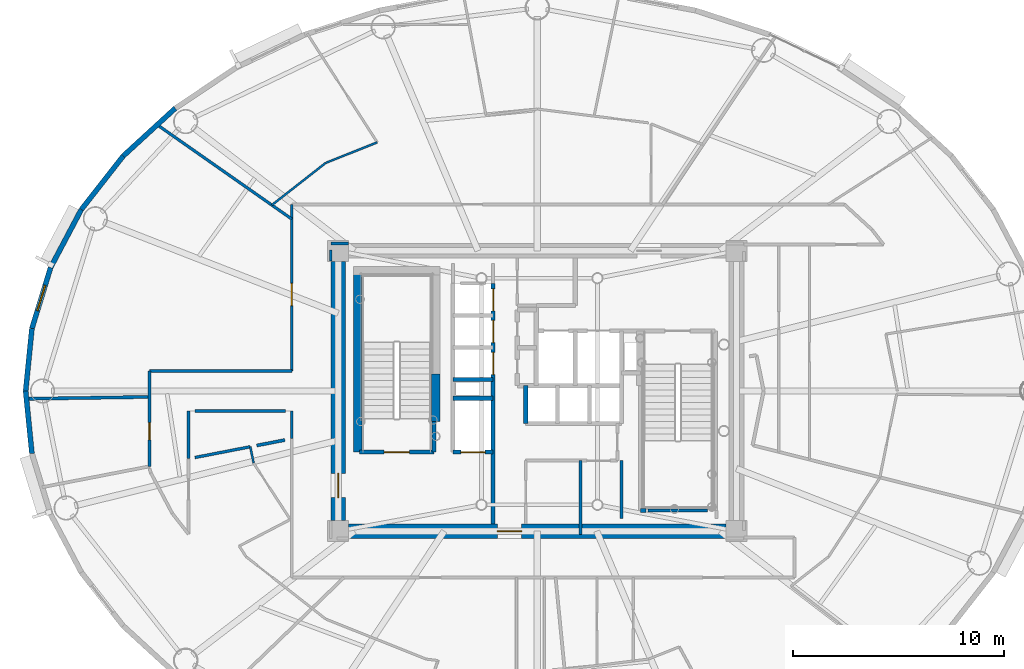
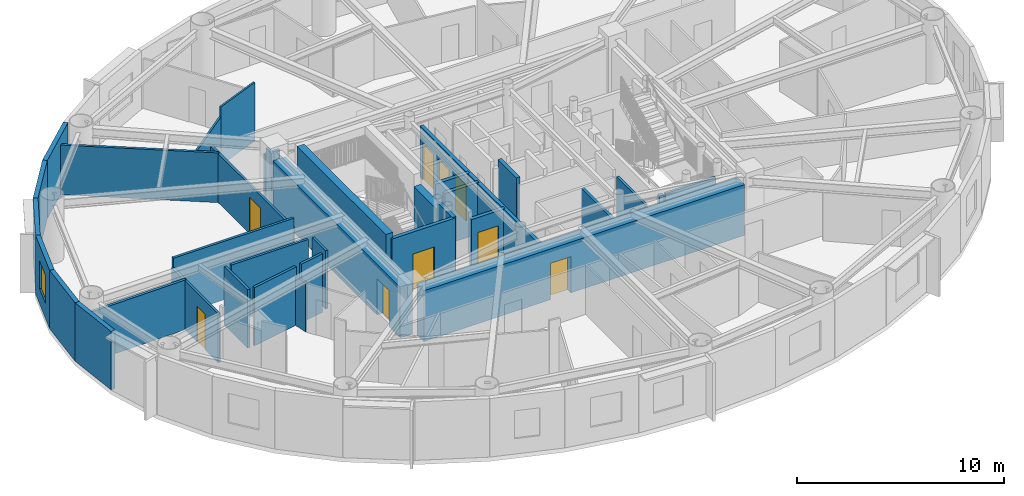
# One storey, part 8 of 18: 36 walls, 9 doors, 1 window, 10 openings.
"""IFC4 building model written with IfcOpenShell, lengths in metres."""

import ifcopenshell
import ifcopenshell.guid

model = None  # the IFC model being written
_history = None  # IfcOwnerHistory: only IFC2X3 demands one
_inside = {}  # id of a spatial element -> (the spatial element, [elements in it])
_under = {}  # id of a project, library or spatial element -> (it, [spatial elements below it])
_declared = {}  # id of a project -> (the project, [libraries it declares])
_typed = {}  # id of a type object -> (the type object, [elements of that type])
_made_of = {}  # id of a material, layer set ... -> (it, [elements and type objects made of it])


def new_model(schema):
    """Start an empty IFC model of exactly this schema.

    Asked for "IFC4X3", IfcOpenShell would pick the latest addendum, in which some entities
    have other attributes; the version numbers below select the first issue.
    IFC2X3 requires an IfcOwnerHistory on every rooted entity: one is made here for all.
    """
    global model, _history
    if schema == "IFC4X3":
        model = ifcopenshell.file(schema_version=(4, 3, 0, 0))
    else:
        model = ifcopenshell.file(schema=schema)
    _inside.clear()
    _under.clear()
    _declared.clear()
    _typed.clear()
    _made_of.clear()
    _history = None
    if model.schema == "IFC2X3":
        org = make("IfcOrganization", Name="unknown")
        user = make(
            "IfcPersonAndOrganization",
            ThePerson=make("IfcPerson", FamilyName="unknown"),
            TheOrganization=org,
        )
        app = make(
            "IfcApplication",
            ApplicationDeveloper=org,
            Version="unknown",
            ApplicationFullName="unknown",
            ApplicationIdentifier="unknown",
        )
        _history = make(
            "IfcOwnerHistory",
            OwningUser=user,
            OwningApplication=app,
            ChangeAction="ADDED",
            CreationDate=0,
        )
    return model


def make(cls, **values):
    """One entity of the class cls with the attributes given. An attribute that is None is left unset."""
    return model.create_entity(
        cls, **{name: value for name, value in values.items() if value is not None}
    )


def rooted(cls, **values):
    """An entity with a GlobalId (a new one), such as an element, a storey or a relation."""
    return make(cls, GlobalId=ifcopenshell.guid.new(), OwnerHistory=_history, **values)


def si_unit(unit_type, name, prefix=None):
    """IfcSIUnit, for example si_unit("LENGTHUNIT", "METRE", prefix="MILLI")."""
    return make("IfcSIUnit", UnitType=unit_type, Prefix=prefix, Name=name)


def assignment(units):
    """IfcUnitAssignment: the units of a project."""
    return None if units is None else make("IfcUnitAssignment", Units=units)


def point(xyz):
    """IfcCartesianPoint."""
    return None if xyz is None else make("IfcCartesianPoint", Coordinates=xyz)


def direction(xyz):
    """IfcDirection."""
    return None if xyz is None else make("IfcDirection", DirectionRatios=xyz)


def frame(location, z_axis=None, x_axis=None):
    """IfcAxis2Placement3D, a coordinate frame: its origin and axes. An axis left out is left unset."""
    return make(
        "IfcAxis2Placement3D",
        Location=point(location),
        Axis=direction(z_axis),
        RefDirection=direction(x_axis),
    )


def frame_2d(location, x_axis=None):
    """IfcAxis2Placement2D, a coordinate frame in the plane: its origin and x axis."""
    return make(
        "IfcAxis2Placement2D", Location=point(location), RefDirection=direction(x_axis)
    )


def origin():
    """The frame at (0, 0, 0) with its axes left unset."""
    return frame((0.0, 0.0, 0.0))


def origin_2d():
    """The frame at (0, 0) in the plane with its x axis left unset."""
    return frame_2d((0.0, 0.0))


def place(relative_to, where):
    """IfcLocalPlacement: puts the frame where relative to a parent placement (None: the world)."""
    return make(
        "IfcLocalPlacement", PlacementRelTo=relative_to, RelativePlacement=where
    )


def context(
    kind, dimensions, precision=None, world=None, true_north=None, identifier=None
):
    """IfcGeometricRepresentationContext, for example the 3D "Model" context."""
    return make(
        "IfcGeometricRepresentationContext",
        ContextIdentifier=identifier,
        ContextType=kind,
        CoordinateSpaceDimension=dimensions,
        Precision=precision,
        WorldCoordinateSystem=world,
        TrueNorth=true_north,
    )


def subcontext(parent, identifier, kind, view, scale=None):
    """IfcGeometricRepresentationSubContext, for example "Body" below "Model"."""
    return make(
        "IfcGeometricRepresentationSubContext",
        ContextIdentifier=identifier,
        ContextType=kind,
        ParentContext=parent,
        TargetScale=scale,
        TargetView=view,
    )


def project(units=None, contexts=None):
    """IfcProject with its units and contexts."""
    return rooted(
        "IfcProject",
        Name="project",
        RepresentationContexts=contexts,
        UnitsInContext=assignment(units),
    )


def spatial(cls, under=None, at=None, **own):
    """A site, building, storey or space (cls), placed at a placement, below another one or the project."""
    s = rooted(cls, ObjectPlacement=at, **own)
    if under is not None:
        _under.setdefault(under.id(), (under, []))[1].append(s)
    return s


def profile(cls, at=None, kind="AREA", **sizes):
    """A parametric profile (cls). Its sizes go by their IFC names, for example OverallWidth=200.0."""
    return make(cls, ProfileType=kind, Position=at, **sizes)


def rectangle(**sizes):
    """IfcRectangleProfileDef."""
    return profile("IfcRectangleProfileDef", **sizes)


def extrude(swept, where, along, depth):
    """IfcExtrudedAreaSolid: the profile swept, set in the frame where, extruded along a direction by depth."""
    return make(
        "IfcExtrudedAreaSolid",
        SweptArea=swept,
        Position=where,
        ExtrudedDirection=direction(along),
        Depth=depth,
    )


def shape(context_of_items, identifier, shape_type, items):
    """IfcShapeRepresentation: the items that make up one representation, for example the "Body"."""
    return make(
        "IfcShapeRepresentation",
        ContextOfItems=context_of_items,
        RepresentationIdentifier=identifier,
        RepresentationType=shape_type,
        Items=items,
    )


def source(mapping_origin, context_of_items, identifier, shape_type, items):
    """IfcRepresentationMap: a shape defined once, which mapped items show again and again."""
    return make(
        "IfcRepresentationMap",
        MappingOrigin=mapping_origin,
        MappedRepresentation=shape(context_of_items, identifier, shape_type, items),
    )


def transform(
    local_origin,
    x_axis=None,
    y_axis=None,
    z_axis=None,
    scale=None,
    scale2=None,
    scale3=None,
    uniform=True,
):
    """IfcCartesianTransformationOperator3D, or its non-uniform kind. x_axis, y_axis, z_axis: its Axis1, 2, 3."""
    if uniform:
        return make(
            "IfcCartesianTransformationOperator3D",
            Axis1=direction(x_axis),
            Axis2=direction(y_axis),
            LocalOrigin=point(local_origin),
            Scale=scale,
            Axis3=direction(z_axis),
        )
    return make(
        "IfcCartesianTransformationOperator3DnonUniform",
        Axis1=direction(x_axis),
        Axis2=direction(y_axis),
        LocalOrigin=point(local_origin),
        Scale=scale,
        Axis3=direction(z_axis),
        Scale2=scale2,
        Scale3=scale3,
    )


def mapped(mapping_source, mapping_target):
    """IfcMappedItem: shows the shape of a source again, moved by a transform."""
    return make(
        "IfcMappedItem", MappingSource=mapping_source, MappingTarget=mapping_target
    )


def material(Name=None, Category=None):
    """IfcMaterial."""
    return make("IfcMaterial", Name=Name, Category=Category)


def layer(
    of_material, thickness, ventilated=None, Name=None, Category=None, Priority=None
):
    """IfcMaterialLayer: one layer of a wall or slab, of a material (None: an air gap)."""
    return make(
        "IfcMaterialLayer",
        Material=of_material,
        LayerThickness=thickness,
        IsVentilated=ventilated,
        Name=Name,
        Category=Category,
        Priority=Priority,
    )


def layer_set(layers, Name=None):
    """IfcMaterialLayerSet."""
    return make("IfcMaterialLayerSet", MaterialLayers=layers, LayerSetName=Name)


def made_of(thing, what):
    """Note that an element or type object is made of a material, layer set ...; save() writes the relation."""
    if what is not None:
        _made_of.setdefault(what.id(), (what, []))[1].append(thing)
    return thing


def type_object(cls, material=None, **own):
    """A type object (cls), such as IfcWallType, which elements share."""
    return made_of(rooted(cls, **own), material)


def element(
    cls,
    number,
    at=None,
    inside=None,
    cuts=None,
    type_object=None,
    material=None,
    context=None,
    identifier="Body",
    shape_type=None,
    held_by="IfcProductDefinitionShape",
    body=None,
    shapes=None,
    **own,
):
    """One element of the class cls, such as IfcWall. Its Tag is "e" and its number.

    at: its placement. inside: the storey or other place that contains it. cuts: it is an
    opening in that element (IfcRelVoidsElement). A single representation is given by context,
    identifier, shape_type and body (its items); several are given by shapes. held_by: the class
    of the entity that holds the representations. save() writes the other relations.
    """
    e = rooted(cls, Tag="e%d" % number, ObjectPlacement=at, **own)
    if body is not None:
        shapes = [shape(context, identifier, shape_type, body)]
    if shapes is not None:
        e.Representation = make(held_by, Representations=shapes)
    if inside is not None:
        _inside.setdefault(inside.id(), (inside, []))[1].append(e)
    if cuts is not None:
        rooted(
            "IfcRelVoidsElement", RelatingBuildingElement=cuts, RelatedOpeningElement=e
        )
    if type_object is not None:
        _typed.setdefault(type_object.id(), (type_object, []))[1].append(e)
    return made_of(e, material)


def fill(opening, filler):
    """IfcRelFillsElement: the door or window that sits in an opening."""
    return rooted(
        "IfcRelFillsElement",
        RelatingOpeningElement=opening,
        RelatedBuildingElement=filler,
    )


def aggregate(whole, parts):
    """IfcRelAggregates: a whole, such as a stair, and the parts it consists of."""
    return rooted("IfcRelAggregates", RelatingObject=whole, RelatedObjects=parts)


def save(model, path):
    """Write the relations noted so far, then the file.

    IfcRelAggregates (storeys below a building ...), IfcRelContainedInSpatialStructure (elements
    in a storey), IfcRelDefinesByType, IfcRelAssociatesMaterial and IfcRelDeclares: one each for
    every whole, place, type object, material and project.
    """
    for whole, parts in _under.values():
        aggregate(whole, parts)
    for where, things in _inside.values():
        rooted(
            "IfcRelContainedInSpatialStructure",
            RelatedElements=things,
            RelatingStructure=where,
        )
    for kind, things in _typed.values():
        rooted("IfcRelDefinesByType", RelatedObjects=things, RelatingType=kind)
    for what, things in _made_of.values():
        rooted("IfcRelAssociatesMaterial", RelatedObjects=things, RelatingMaterial=what)
    for by, libraries in _declared.values():
        rooted("IfcRelDeclares", RelatingContext=by, RelatedDefinitions=libraries)
    model.write(path)


model = new_model("IFC4")

# Units and contexts
model_context = context("Model", 3, precision=1e-05, world=origin(), true_north=direction((0.0, 1.0)))
body_context = subcontext(model_context, "Body", "Model", "MODEL_VIEW")
ifc_project = project(units=[si_unit("LENGTHUNIT", "METRE"), si_unit("AREAUNIT", "SQUARE_METRE"), si_unit("VOLUMEUNIT", "CUBIC_METRE"), si_unit("PLANEANGLEUNIT", "RADIAN"), si_unit("MASSUNIT", "GRAM", prefix="KILO")], contexts=[model_context])

# Site, building, storey
site_placement = place(None, origin())
site = spatial("IfcSite", under=ifc_project, at=site_placement, CompositionType="ELEMENT")
building_placement = place(site_placement, origin())
building = spatial("IfcBuilding", under=site, at=building_placement, Name="Linh Dai School and Residence Tower", CompositionType="ELEMENT")
storey_placement = place(building_placement, frame((0.0, 0.0, 259.050048828125)))
storey = spatial("IfcBuildingStorey", under=building, at=storey_placement, Name="L64", CompositionType="ELEMENT", Elevation=259.050048828125)

# Walls
ifc_material_1 = material(Name="Precast Concrete B45 (C35/45)", Category="concrete")
ifc_layer_1 = layer(ifc_material_1, 0.239990234375)
ifc_layer_set_1 = layer_set([ifc_layer_1], Name="Precast Concrete B45 (C35/45)")
wall_type_1 = type_object("IfcWallType", Name="EW-TC-240", PredefinedType="SOLIDWALL", material=ifc_layer_set_1)
wall_1_placement = place(storey_placement, frame((16.3515625, 38.14453125, 0.0), z_axis=(0.0, 0.0, 1.0), x_axis=(0.737123922599, 0.675757591694, 0.0)))
element("IfcWall", 1, at=wall_1_placement, inside=storey, type_object=wall_type_1, Name="L64 Terracotta Exterior Wall 16", PredefinedType="SOLIDWALL", context=body_context, shape_type="SweptSolid", body=[
    extrude(rectangle(XDim=3.353759765625, YDim=0.239990234375, at=frame_2d((1.6767578125, 0.0))), origin(), (0.0, 0.0, 1.0), 3.449951171875),
])
wall_2_placement = place(storey_placement, frame((14.3642578125, 35.605224609375, 0.0), z_axis=(0.0, 0.0, 1.0), x_axis=(0.616312344705, 0.787501805562, 0.0)))
element("IfcWall", 2, at=wall_2_placement, inside=storey, type_object=wall_type_1, Name="L64 Terracotta Exterior Wall 17", PredefinedType="SOLIDWALL", context=body_context, shape_type="SweptSolid", body=[
    extrude(rectangle(XDim=3.224609375, YDim=0.239990234375, at=frame_2d((1.6123046875, 0.0))), origin(), (0.0, 0.0, 1.0), 3.449951171875),
])
wall_3_placement = place(storey_placement, frame((12.90966796875, 32.85595703125, 0.0), z_axis=(0.0, 0.0, 1.0), x_axis=(0.46766049993, 0.883908172157, 0.0)))
element("IfcWall", 3, at=wall_3_placement, inside=storey, type_object=wall_type_1, Name="L64 Terracotta Exterior Wall 18", PredefinedType="SOLIDWALL", context=body_context, shape_type="SweptSolid", body=[
    extrude(rectangle(XDim=3.1103515625, YDim=0.239990234375, at=frame_2d((1.55517578125, 0.0))), origin(), (0.0, 0.0, 1.0), 3.449951171875),
])

# Wall, opening, window
wall_4_placement = place(storey_placement, frame((12.02294921875, 29.9638671875, 0.0), z_axis=(0.0, 0.0, 1.0), x_axis=(0.293132907334, 0.95607170162, 0.0)))
wall_4 = element("IfcWall", 4, at=wall_4_placement, inside=storey, type_object=wall_type_1, Name="L64 Terracotta Exterior Wall 19", PredefinedType="SOLIDWALL", context=body_context, shape_type="SweptSolid", body=[
    extrude(rectangle(XDim=3.02490234375, YDim=0.239990234375, at=frame_2d((1.512451171875, 0.0))), origin(), (0.0, 0.0, 1.0), 3.449951171875),
])
opening_1_placement = place(wall_4_placement, frame((0.887451171875, 0.0, 0.89990234375)))
opening_1 = element("IfcOpeningElement", 5, at=opening_1_placement, cuts=wall_4, Name="Opening W3", PredefinedType="OPENING", context=body_context, shape_type="SweptSolid", body=[
    extrude(rectangle(XDim=1.25, YDim=1.64990234375, at=origin_2d()), frame((0.625, 0.1298828125, 0.824951171875), z_axis=(0.0, -1.0, 0.0), x_axis=(1.0, 0.0, 0.0)), (0.0, 0.0, 1.0), 0.260009765625),
])
ifc_material_2 = material(Name="Double Low-E Insulated Glazing", Category="glass")
window_type = type_object("IfcWindowType", Name="WN-RES-1250x1650", PartitioningType="SINGLE_PANEL", PredefinedType="WINDOW", material=ifc_material_2)
shared_shape_1 = source(origin(), body_context, "Body", "SweptSolid", [
    extrude(rectangle(XDim=1.25, YDim=1.64990234375, at=origin_2d()), frame((0.625, 0.030029296875, 0.824951171875), z_axis=(0.0, -1.0, 0.0), x_axis=(1.0, 0.0, 0.0)), (0.0, 0.0, 1.0), 0.06005859375),
])
window_placement = place(opening_1_placement, origin())
window = element("IfcWindow", 6, at=window_placement, inside=storey, type_object=window_type, Name="L64 Exterior Window 19.1", OverallHeight=1.64990234375, OverallWidth=1.25, PartitioningType="SINGLE_PANEL", PredefinedType="WINDOW", context=body_context, shape_type="MappedRepresentation", body=[
    mapped(shared_shape_1, transform((0.0, 0.0, 0.0), x_axis=(1.0, 0.0, 0.0), y_axis=(0.0, 1.0, 0.0), z_axis=(0.0, 0.0, 1.0), scale=1.0)),
])
fill(opening_1, window)

# Walls
for number, where, z_axis, x_axis, name in (
    (7, (11.72509765625, 27.0, 0.0), (0.0, 0.0, 1.0), (0.099990595253, 0.994988382274, 0.0), "L64 Terracotta Exterior Wall 20"),
    (8, (12.02294921875, 24.0361328125, 0.0), (0.0, 0.0, 1.0), (-0.099990595253, 0.994988382274, 0.0), "L64 Terracotta Exterior Wall 21"),
):
    element("IfcWall", number, at=place(storey_placement, frame(where, z_axis=z_axis, x_axis=x_axis)), inside=storey, type_object=wall_type_1, Name=name, PredefinedType="SOLIDWALL", context=body_context, shape_type="SweptSolid", body=[
        extrude(rectangle(XDim=2.978759765625, YDim=0.239990234375, at=frame_2d((1.4892578125, 0.0))), origin(), (0.0, 0.0, 1.0), 3.449951171875),
    ])

# Wall, opening, door
ifc_material_3 = material(Name="Autoclaved Aerated Concrete Blockwork", Category="masonry")
ifc_layer_2 = layer(ifc_material_3, 0.135009765625)
ifc_layer_set_2 = layer_set([ifc_layer_2], Name="Autoclaved Aerated Concrete Blockwork")
wall_type_2 = type_object("IfcWallType", Name="IW-CORR-135-EI90", PredefinedType="PARTITIONING", material=ifc_layer_set_2)
wall_5_placement = place(storey_placement, frame((17.60009765625, 23.42333984375, 0.0), z_axis=(0.0, 0.0, 1.0), x_axis=(0.0, 1.0, 0.0)))
wall_5 = element("IfcWall", 9, at=wall_5_placement, inside=storey, type_object=wall_type_2, Name="L64 Interior Partition Wall 004", PredefinedType="PARTITIONING", context=body_context, shape_type="SweptSolid", body=[
    extrude(rectangle(XDim=4.526611328125, YDim=0.135009765625, at=frame_2d((2.26318359375, 0.0))), origin(), (0.0, 0.0, 1.0), 2.885009765625),
])
opening_2_placement = place(wall_5_placement, frame((1.257080078125, 0.0, 0.0)))
opening_2 = element("IfcOpeningElement", 10, at=opening_2_placement, cuts=wall_5, Name="Opening D06", PredefinedType="OPENING", context=body_context, shape_type="SweptSolid", body=[
    extrude(rectangle(XDim=0.820068359375, YDim=2.10009765625, at=origin_2d()), frame((0.41015625, 0.07763671875, 1.050048828125), z_axis=(0.0, -1.0, 0.0), x_axis=(1.0, 0.0, 0.0)), (0.0, 0.0, 1.0), 0.155029296875),
])
ifc_material_4 = material(Name="Moisture-Resistant Timber Bathroom Door", Category="wood")
door_type_1 = type_object("IfcDoorType", Name="DR-WET-820x2100", OperationType="NOTDEFINED", PredefinedType="DOOR", material=ifc_material_4)
shared_shape_2 = source(origin(), body_context, "Body", "SweptSolid", [
    extrude(rectangle(XDim=0.820068359375, YDim=2.10009765625, at=origin_2d()), frame((0.41015625, 0.02490234375, 1.050048828125), z_axis=(0.0, -1.0, 0.0), x_axis=(1.0, 0.0, 0.0)), (0.0, 0.0, 1.0), 0.050048828125),
])
door_1_placement = place(opening_2_placement, origin())
door_1 = element("IfcDoor", 11, at=door_1_placement, inside=storey, type_object=door_type_1, Name="L64 Amenity Accessible WC Door", OperationType="SINGLE_SWING_RIGHT", OverallHeight=2.10009765625, OverallWidth=0.820068359375, PredefinedType="DOOR", context=body_context, shape_type="MappedRepresentation", body=[
    mapped(shared_shape_2, transform((0.0, 0.0, 0.0), x_axis=(1.0, 0.0, 0.0), y_axis=(0.0, 1.0, 0.0), z_axis=(0.0, 0.0, 1.0), scale=1.0)),
])
fill(opening_2, door_1)

# Walls
wall_6_placement = place(storey_placement, frame((17.60009765625, 27.949951171875, 0.0), z_axis=(0.0, 0.0, 1.0), x_axis=(1.0, 0.0, 0.0)))
element("IfcWall", 12, at=wall_6_placement, inside=storey, type_object=wall_type_2, Name="L64 Interior Partition Wall 005", PredefinedType="PARTITIONING", context=body_context, shape_type="SweptSolid", body=[
    extrude(rectangle(XDim=6.75, YDim=0.135009765625, at=frame_2d((3.375, 0.0))), origin(), (0.0, 0.0, 1.0), 3.449951171875),
])
wall_7_placement = place(storey_placement, frame((17.963623046875, 39.629150390625, 0.0), z_axis=(0.0, 0.0, 1.0), x_axis=(0.819162769896, -0.573561118292, 0.0)))
element("IfcWall", 13, at=wall_7_placement, inside=storey, type_object=wall_type_2, Name="L64 Interior Partition Wall 007", PredefinedType="PARTITIONING", context=body_context, shape_type="SweptSolid", body=[
    extrude(rectangle(XDim=7.79638671875, YDim=0.135009765625, at=frame_2d((3.898193359375, 0.0))), origin(), (0.0, 0.0, 1.0), 2.93505859375),
])

# Wall, opening, door
wall_8_placement = place(storey_placement, frame((24.35009765625, 27.949951171875, 0.0), z_axis=(0.0, 0.0, 1.0), x_axis=(0.0, 1.0, 0.0)))
wall_8 = element("IfcWall", 14, at=wall_8_placement, inside=storey, type_object=wall_type_2, Name="L64 Interior Partition Wall 019", PredefinedType="PARTITIONING", context=body_context, shape_type="SweptSolid", body=[
    extrude(rectangle(XDim=7.900146484375, YDim=0.135009765625, at=frame_2d((3.9501953125, 0.0))), origin(), (0.0, 0.0, 1.0), 2.885009765625),
])
opening_3_placement = place(wall_8_placement, frame((3.0986328125, 0.0, 0.0)))
opening_3 = element("IfcOpeningElement", 15, at=opening_3_placement, cuts=wall_8, Name="Opening D04", PredefinedType="OPENING", context=body_context, shape_type="SweptSolid", body=[
    extrude(rectangle(XDim=1.050048828125, YDim=2.14990234375, at=origin_2d()), frame((0.52490234375, 0.07763671875, 1.074951171875), z_axis=(0.0, -1.0, 0.0), x_axis=(1.0, 0.0, 0.0)), (0.0, 0.0, 1.0), 0.155029296875),
])
ifc_material_5 = material(Name="Acoustic Vision-Panel Timber Classroom Door", Category="wood")
door_type_2 = type_object("IfcDoorType", Name="DR-SCH-1050x2150-FD60S", OperationType="NOTDEFINED", PredefinedType="DOOR", material=ifc_material_5)
shared_shape_3 = source(origin(), body_context, "Body", "SweptSolid", [
    extrude(rectangle(XDim=1.050048828125, YDim=2.14990234375, at=origin_2d()), frame((0.52490234375, 0.02490234375, 1.074951171875), z_axis=(0.0, -1.0, 0.0), x_axis=(1.0, 0.0, 0.0)), (0.0, 0.0, 1.0), 0.050048828125),
])
door_2_placement = place(opening_3_placement, origin())
door_2 = element("IfcDoor", 16, at=door_2_placement, inside=storey, type_object=door_type_2, Name="L64 Quiet Study Library Door", OperationType="SINGLE_SWING_LEFT", OverallHeight=2.14990234375, OverallWidth=1.050048828125, PredefinedType="DOOR", context=body_context, shape_type="MappedRepresentation", body=[
    mapped(shared_shape_3, transform((0.0, 0.0, 0.0), x_axis=(1.0, 0.0, 0.0), y_axis=(0.0, 1.0, 0.0), z_axis=(0.0, 0.0, 1.0), scale=1.0)),
])
fill(opening_3, door_2)

# Walls
wall_9_placement = place(storey_placement, frame((44.080078125, 21.330078125, 0.0), z_axis=(0.0, 0.0, 1.0), x_axis=(-1.0, 0.0, 0.0)))
element("IfcWall", 17, at=wall_9_placement, inside=storey, type_object=wall_type_2, Name="L64 Interior Partition Wall 091", PredefinedType="PARTITIONING", context=body_context, shape_type="SweptSolid", body=[
    extrude(rectangle(XDim=2.820068359375, YDim=0.135009765625, at=frame_2d((1.41015625, 0.0))), origin(), (0.0, 0.0, 1.0), 2.98486328125),
])
wall_10_placement = place(storey_placement, frame((40.0, 23.699951171875, 0.0), z_axis=(0.0, 0.0, 1.0), x_axis=(0.0, -1.0, 0.0)))
element("IfcWall", 18, at=wall_10_placement, inside=storey, type_object=wall_type_2, Name="L64 Interior Partition Wall 093", PredefinedType="PARTITIONING", context=body_context, shape_type="SweptSolid", body=[
    extrude(rectangle(XDim=2.739990234375, YDim=0.135009765625, at=frame_2d((1.3701171875, 0.0))), origin(), (0.0, 0.0, 1.0), 2.98486328125),
])
wall_11_placement = place(storey_placement, frame((19.449951171875, 26.050048828125, 0.0), z_axis=(0.0, 0.0, 1.0), x_axis=(0.0, -1.0, 0.0)))
element("IfcWall", 19, at=wall_11_placement, inside=storey, type_object=wall_type_2, Name="L64 Interior Partition Wall 097", PredefinedType="PARTITIONING", context=body_context, shape_type="SweptSolid", body=[
    extrude(rectangle(XDim=2.257080078125, YDim=0.135009765625, at=frame_2d((1.12841796875, 0.0))), origin(), (0.0, 0.0, 1.0), 3.449951171875),
])
wall_12_placement = place(storey_placement, frame((27.0400390625, 34.0, 0.0), z_axis=(0.0, 0.0, 1.0), x_axis=(-1.0, 0.0, 0.0)))
element("IfcWall", 20, at=wall_12_placement, inside=storey, type_object=wall_type_2, Name="L64 Interior Partition Wall 099", PredefinedType="PARTITIONING", context=body_context, shape_type="SweptSolid", body=[
    extrude(rectangle(XDim=0.840087890625, YDim=0.135009765625, at=frame_2d((0.419921875, 0.0))), origin(), (0.0, 0.0, 1.0), 2.885009765625),
])
wall_13_placement = place(storey_placement, frame((26.199951171875, 33.6923828125, 0.0), z_axis=(0.0, 0.0, 1.0), x_axis=(0.0, -1.0, 0.0)))
element("IfcWall", 21, at=wall_13_placement, inside=storey, type_object=wall_type_2, Name="L64 Interior Partition Wall 100", PredefinedType="PARTITIONING", context=body_context, shape_type="SweptSolid", body=[
    extrude(rectangle(XDim=0.532470703125, YDim=0.135009765625, at=frame_2d((0.26611328125, 0.0))), origin(), (0.0, 0.0, 1.0), 3.449951171875),
])
wall_14_placement = place(storey_placement, frame((24.35009765625, 24.745361328125, 0.0), z_axis=(0.0, 0.0, 1.0), x_axis=(0.0, 1.0, 0.0)))
element("IfcWall", 22, at=wall_14_placement, inside=storey, type_object=wall_type_2, Name="L64 Interior Partition Wall 104", PredefinedType="PARTITIONING", context=body_context, shape_type="SweptSolid", body=[
    extrude(rectangle(XDim=1.3046875, YDim=0.135009765625, at=frame_2d((0.65234375, 0.0))), origin(), (0.0, 0.0, 1.0), 3.449951171875),
])
wall_15_placement = place(storey_placement, frame((24.04248046875, 26.050048828125, 0.0), z_axis=(0.0, 0.0, 1.0), x_axis=(-1.0, 0.0, 0.0)))
element("IfcWall", 23, at=wall_15_placement, inside=storey, type_object=wall_type_2, Name="L64 Interior Partition Wall 105", PredefinedType="PARTITIONING", context=body_context, shape_type="SweptSolid", body=[
    extrude(rectangle(XDim=4.284912109375, YDim=0.135009765625, at=frame_2d((2.142578125, 0.0))), origin(), (0.0, 0.0, 1.0), 3.449951171875),
])
wall_16_placement = place(storey_placement, frame((19.757568359375, 23.8427734375, 0.0), z_axis=(0.0, 0.0, 1.0), x_axis=(0.98161966457, 0.190847672582, 0.0)))
element("IfcWall", 24, at=wall_16_placement, inside=storey, type_object=wall_type_2, Name="L64 Interior Partition Wall 107", PredefinedType="PARTITIONING", context=body_context, shape_type="SweptSolid", body=[
    extrude(rectangle(XDim=2.6748046875, YDim=0.135009765625, at=frame_2d((1.33740234375, 0.0))), origin(), (0.0, 0.0, 1.0), 3.449951171875),
])
ifc_layer_3 = layer(ifc_material_3, 0.14990234375)
ifc_layer_set_3 = layer_set([ifc_layer_3], Name="Autoclaved Aerated Concrete Blockwork")
wall_type_3 = type_object("IfcWallType", Name="IW-SCH-150-EI60", PredefinedType="PARTITIONING", material=ifc_layer_set_3)
wall_17_placement = place(storey_placement, frame((11.75732421875, 26.627685546875, 0.0), z_axis=(0.0, 0.0, 1.0), x_axis=(0.999882437841, 0.015333313333, 0.0)))
element("IfcWall", 25, at=wall_17_placement, inside=storey, type_object=wall_type_3, Name="L64 Interior Partition Wall 001", PredefinedType="PARTITIONING", context=body_context, shape_type="SweptSolid", body=[
    extrude(rectangle(XDim=5.843505859375, YDim=0.14990234375, at=frame_2d((2.921875, 0.0))), origin(), (0.0, 0.0, 1.0), 2.93505859375),
])
wall_18_placement = place(storey_placement, frame((38.050048828125, 20.179931640625, 0.0), z_axis=(0.0, 0.0, 1.0), x_axis=(0.0, 1.0, 0.0)))
element("IfcWall", 26, at=wall_18_placement, inside=storey, type_object=wall_type_3, Name="L64 Interior Partition Wall 059", PredefinedType="PARTITIONING", context=body_context, shape_type="SweptSolid", body=[
    extrude(rectangle(XDim=3.52001953125, YDim=0.14990234375, at=frame_2d((1.760009765625, 0.0))), origin(), (0.0, 0.0, 1.0), 2.98486328125),
])
wall_19_placement = place(storey_placement, frame((22.687744140625, 24.412353515625, 0.0), z_axis=(0.0, 0.0, 1.0), x_axis=(0.981616324133, 0.19086485322, 0.0)))
element("IfcWall", 27, at=wall_19_placement, inside=storey, type_object=wall_type_3, Name="L64 Interior Partition Wall 106", PredefinedType="PARTITIONING", context=body_context, shape_type="SweptSolid", body=[
    extrude(rectangle(XDim=1.359619140625, YDim=0.14990234375, at=frame_2d((0.6796875, 0.0))), origin(), (0.0, 0.0, 1.0), 3.449951171875),
])

# Wall, opening, door
ifc_material_6 = material(Name="Concrete B45 (C35/45)", Category="concrete")
ifc_layer_4 = layer(ifc_material_6, 0.199951171875)
ifc_layer_set_4 = layer_set([ifc_layer_4], Name="Concrete B45 (C35/45)")
wall_type_4 = type_object("IfcWallType", Name="IW-SHAFT-200-EI120", PredefinedType="PARTITIONING", material=ifc_layer_set_4)
wall_20_placement = place(storey_placement, frame((27.56005859375, 24.10009765625, 0.0), z_axis=(0.0, 0.0, 1.0), x_axis=(1.0, 0.0, 0.0)))
wall_20 = element("IfcWall", 28, at=wall_20_placement, inside=storey, type_object=wall_type_4, Name="L64 Interior Partition Wall 025", PredefinedType="PARTITIONING", context=body_context, shape_type="SweptSolid", body=[
    extrude(rectangle(XDim=3.5400390625, YDim=0.199951171875, at=frame_2d((1.77001953125, 0.0))), origin(), (0.0, 0.0, 1.0), 3.449951171875),
])
opening_4_placement = place(wall_20_placement, frame((1.169921875, 0.0, 0.0)))
opening_4 = element("IfcOpeningElement", 29, at=opening_4_placement, cuts=wall_20, Name="Opening D01", PredefinedType="OPENING", context=body_context, shape_type="SweptSolid", body=[
    extrude(rectangle(XDim=1.199951171875, YDim=2.14990234375, at=origin_2d()), frame((0.60009765625, 0.10986328125, 1.074951171875), z_axis=(0.0, -1.0, 0.0), x_axis=(1.0, 0.0, 0.0)), (0.0, 0.0, 1.0), 0.219970703125),
])
ifc_material_7 = material(Name="Fire-Rated Steel Door Leaf", Category="steel")
door_type_3 = type_object("IfcDoorType", Name="DR-STAIR-1200x2150-FD90S", OperationType="NOTDEFINED", PredefinedType="DOOR", material=ifc_material_7)
shared_shape_4 = source(origin(), body_context, "Body", "SweptSolid", [
    extrude(rectangle(XDim=1.199951171875, YDim=2.14990234375, at=origin_2d()), frame((0.60009765625, 0.02490234375, 1.074951171875), z_axis=(0.0, -1.0, 0.0), x_axis=(1.0, 0.0, 0.0)), (0.0, 0.0, 1.0), 0.050048828125),
])
door_3_placement = place(opening_4_placement, origin())
door_3 = element("IfcDoor", 30, at=door_3_placement, inside=storey, type_object=door_type_3, Name="L64 Core Smokeproof Exit Stair ST1 Door", OperationType="SINGLE_SWING_LEFT", OverallHeight=2.14990234375, OverallWidth=1.199951171875, PredefinedType="DOOR", context=body_context, shape_type="MappedRepresentation", body=[
    mapped(shared_shape_4, transform((0.0, 0.0, 0.0), x_axis=(1.0, 0.0, 0.0), y_axis=(0.0, 1.0, 0.0), z_axis=(0.0, 0.0, 1.0), scale=1.0)),
])
fill(opening_4, door_3)

# Wall
wall_21_placement = place(storey_placement, frame((31.10009765625, 24.10009765625, 0.0), z_axis=(0.0, 0.0, 1.0), x_axis=(0.0, 1.0, 0.0)))
element("IfcWall", 31, at=wall_21_placement, inside=storey, type_object=wall_type_4, Name="L64 Interior Partition Wall 028", PredefinedType="PARTITIONING", context=body_context, shape_type="SweptSolid", body=[
    extrude(rectangle(XDim=1.43994140625, YDim=0.199951171875, at=frame_2d((0.719970703125, 0.0))), origin(), (0.0, 0.0, 1.0), 3.449951171875),
])

# Wall, opening, door
wall_22_placement = place(storey_placement, frame((32.0, 24.10009765625, 0.0), z_axis=(0.0, 0.0, 1.0), x_axis=(1.0, 0.0, 0.0)))
wall_22 = element("IfcWall", 32, at=wall_22_placement, inside=storey, type_object=wall_type_4, Name="L64 Interior Partition Wall 030", PredefinedType="PARTITIONING", context=body_context, shape_type="SweptSolid", body=[
    extrude(rectangle(XDim=1.89990234375, YDim=0.199951171875, at=frame_2d((0.949951171875, 0.0))), origin(), (0.0, 0.0, 1.0), 3.034912109375),
])
opening_5_placement = place(wall_22_placement, frame((0.375, 0.0, 0.0)))
opening_5 = element("IfcOpeningElement", 33, at=opening_5_placement, cuts=wall_22, Name="Opening LD-FF2", PredefinedType="OPENING", context=body_context, shape_type="SweptSolid", body=[
    extrude(rectangle(XDim=1.14990234375, YDim=2.14990234375, at=origin_2d()), frame((0.574951171875, 0.10986328125, 1.074951171875), z_axis=(0.0, -1.0, 0.0), x_axis=(1.0, 0.0, 0.0)), (0.0, 0.0, 1.0), 0.219970703125),
])
ifc_material_8 = material(Name="Fire-Rated Stainless Steel Firefighting Lift Door", Category="steel")
door_type_4 = type_object("IfcDoorType", Name="DR-LD-FF-1150x2150-FD120", OperationType="DOUBLE_DOOR_SLIDING", PredefinedType="USERDEFINED", material=ifc_material_8)
shared_shape_5 = source(origin(), body_context, "Body", "SweptSolid", [
    extrude(rectangle(XDim=1.14990234375, YDim=2.14990234375, at=origin_2d()), frame((0.574951171875, 0.02490234375, 1.074951171875), z_axis=(0.0, -1.0, 0.0), x_axis=(1.0, 0.0, 0.0)), (0.0, 0.0, 1.0), 0.050048828125),
])
door_4_placement = place(opening_5_placement, origin())
door_4 = element("IfcDoor", 34, at=door_4_placement, inside=storey, type_object=door_type_4, Name="L64 Lift FF2 Sliding Landing Door", ObjectType="LANDING DOOR", OperationType="DOUBLE_DOOR_SLIDING", OverallHeight=2.14990234375, OverallWidth=1.14990234375, PredefinedType="USERDEFINED", context=body_context, shape_type="MappedRepresentation", body=[
    mapped(shared_shape_5, transform((0.0, 0.0, 0.0), x_axis=(1.0, 0.0, 0.0), y_axis=(0.0, 1.0, 0.0), z_axis=(0.0, 0.0, 1.0), scale=1.0)),
])
fill(opening_5, door_4)

# Walls
for number, where, z_axis, x_axis, name in (
    (35, (32.0, 26.64990234375, 0.0), (0.0, 0.0, 1.0), (1.0, 0.0, 0.0), "L64 Interior Partition Wall 031"),
    (36, (32.0, 27.550048828125, 0.0), (0.0, 0.0, 1.0), (1.0, 0.0, 0.0), "L64 Interior Partition Wall 032"),
):
    element("IfcWall", number, at=place(storey_placement, frame(where, z_axis=z_axis, x_axis=x_axis)), inside=storey, type_object=wall_type_4, Name=name, PredefinedType="PARTITIONING", context=body_context, shape_type="SweptSolid", body=[
        extrude(rectangle(XDim=1.89990234375, YDim=0.199951171875, at=frame_2d((0.949951171875, 0.0))), origin(), (0.0, 0.0, 1.0), 3.034912109375),
    ])

# Wall, openings, doors
wall_23_placement = place(storey_placement, frame((33.89990234375, 20.699951171875, 0.0), z_axis=(0.0, 0.0, 1.0), x_axis=(0.0, 1.0, 0.0)))
wall_23 = element("IfcWall", 37, at=wall_23_placement, inside=storey, type_object=wall_type_4, Name="L64 Interior Partition Wall 037", PredefinedType="PARTITIONING", context=body_context, shape_type="SweptSolid", body=[
    extrude(rectangle(XDim=11.400146484375, YDim=0.199951171875, at=frame_2d((5.7001953125, 0.0))), origin(), (0.0, 0.0, 1.0), 3.034912109375),
])
opening_6_placement = place(wall_23_placement, frame((7.080078125, 0.0, 0.0)))
opening_6 = element("IfcOpeningElement", 38, at=opening_6_placement, cuts=wall_23, Name="Opening LD-PL4", PredefinedType="OPENING", context=body_context, shape_type="SweptSolid", body=[
    extrude(rectangle(XDim=1.050048828125, YDim=2.14990234375, at=origin_2d()), frame((0.52490234375, 0.10986328125, 1.074951171875), z_axis=(0.0, -1.0, 0.0), x_axis=(1.0, 0.0, 0.0)), (0.0, 0.0, 1.0), 0.219970703125),
])
opening_7_placement = place(wall_23_placement, frame((8.594970703125, 0.0, 0.0)))
opening_7 = element("IfcOpeningElement", 39, at=opening_7_placement, cuts=wall_23, Name="Opening LD-PL5", PredefinedType="OPENING", context=body_context, shape_type="SweptSolid", body=[
    extrude(rectangle(XDim=1.050048828125, YDim=2.14990234375, at=origin_2d()), frame((0.52490234375, 0.10986328125, 1.074951171875), z_axis=(0.0, -1.0, 0.0), x_axis=(1.0, 0.0, 0.0)), (0.0, 0.0, 1.0), 0.219970703125),
])
opening_8_placement = place(wall_23_placement, frame((10.094970703125, 0.0, 0.0)))
opening_8 = element("IfcOpeningElement", 40, at=opening_8_placement, cuts=wall_23, Name="Opening LD-PL6", PredefinedType="OPENING", context=body_context, shape_type="SweptSolid", body=[
    extrude(rectangle(XDim=1.050048828125, YDim=2.14990234375, at=origin_2d()), frame((0.52490234375, 0.10986328125, 1.074951171875), z_axis=(0.0, -1.0, 0.0), x_axis=(1.0, 0.0, 0.0)), (0.0, 0.0, 1.0), 0.219970703125),
])
ifc_material_9 = material(Name="Brushed Stainless Steel Lift Landing Door", Category="steel")
door_type_5 = type_object("IfcDoorType", Name="DR-LD-PASS-1050x2150", OperationType="DOUBLE_DOOR_SLIDING", PredefinedType="USERDEFINED", material=ifc_material_9)
shared_shape_6 = source(origin(), body_context, "Body", "SweptSolid", [
    extrude(rectangle(XDim=1.050048828125, YDim=2.14990234375, at=origin_2d()), frame((0.52490234375, 0.02490234375, 1.074951171875), z_axis=(0.0, -1.0, 0.0), x_axis=(1.0, 0.0, 0.0)), (0.0, 0.0, 1.0), 0.050048828125),
])
door_5_placement = place(opening_6_placement, origin())
door_5 = element("IfcDoor", 41, at=door_5_placement, inside=storey, type_object=door_type_5, Name="L64 Lift PL4 Sliding Landing Door", ObjectType="LANDING DOOR", OperationType="DOUBLE_DOOR_SLIDING", OverallHeight=2.14990234375, OverallWidth=1.050048828125, PredefinedType="USERDEFINED", context=body_context, shape_type="MappedRepresentation", body=[
    mapped(shared_shape_6, transform((0.0, 0.0, 0.0), x_axis=(1.0, 0.0, 0.0), y_axis=(0.0, 1.0, 0.0), z_axis=(0.0, 0.0, 1.0), scale=1.0)),
])
fill(opening_6, door_5)
door_6_placement = place(opening_7_placement, origin())
door_6 = element("IfcDoor", 42, at=door_6_placement, inside=storey, type_object=door_type_5, Name="L64 Lift PL5 Sliding Landing Door", ObjectType="LANDING DOOR", OperationType="DOUBLE_DOOR_SLIDING", OverallHeight=2.14990234375, OverallWidth=1.050048828125, PredefinedType="USERDEFINED", context=body_context, shape_type="MappedRepresentation", body=[
    mapped(shared_shape_6, transform((0.0, 0.0, 0.0), x_axis=(1.0, 0.0, 0.0), y_axis=(0.0, 1.0, 0.0), z_axis=(0.0, 0.0, 1.0), scale=1.0)),
])
fill(opening_7, door_6)
door_7_placement = place(opening_8_placement, origin())
door_7 = element("IfcDoor", 43, at=door_7_placement, inside=storey, type_object=door_type_5, Name="L64 Lift PL6 Sliding Landing Door", ObjectType="LANDING DOOR", OperationType="DOUBLE_DOOR_SLIDING", OverallHeight=2.14990234375, OverallWidth=1.050048828125, PredefinedType="USERDEFINED", context=body_context, shape_type="MappedRepresentation", body=[
    mapped(shared_shape_6, transform((0.0, 0.0, 0.0), x_axis=(1.0, 0.0, 0.0), y_axis=(0.0, 1.0, 0.0), z_axis=(0.0, 0.0, 1.0), scale=1.0)),
])
fill(opening_8, door_7)

# Walls
wall_24_placement = place(storey_placement, frame((35.449951171875, 25.449951171875, 0.0), z_axis=(0.0, 0.0, 1.0), x_axis=(0.0, 1.0, 0.0)))
element("IfcWall", 44, at=wall_24_placement, inside=storey, type_object=wall_type_4, Name="L64 Interior Partition Wall 047", PredefinedType="PARTITIONING", context=body_context, shape_type="SweptSolid", body=[
    extrude(rectangle(XDim=1.800048828125, YDim=0.199951171875, at=frame_2d((0.89990234375, 0.0))), origin(), (0.0, 0.0, 1.0), 3.449951171875),
])
wall_25_placement = place(storey_placement, frame((40.89990234375, 21.330078125, 0.0), z_axis=(0.0, 0.0, 1.0), x_axis=(1.0, 0.0, 0.0)))
element("IfcWall", 45, at=wall_25_placement, inside=storey, type_object=wall_type_4, Name="L64 Interior Partition Wall 068", PredefinedType="PARTITIONING", context=body_context, shape_type="SweptSolid", body=[
    extrude(rectangle(XDim=0.25, YDim=0.199951171875, at=frame_2d((0.125, 0.0))), origin(), (0.0, 0.0, 1.0), 2.98486328125),
])
ifc_material_10 = material(Name="Gypsum Plasterboard Acoustic Stud Partition", Category="masonry")
ifc_layer_5 = layer(ifc_material_10, 0.10009765625)
ifc_layer_set_5 = layer_set([ifc_layer_5], Name="Gypsum Plasterboard Acoustic Stud Partition")
wall_type_5 = type_object("IfcWallType", Name="IW-UNIT-100", PredefinedType="PARTITIONING", material=ifc_layer_set_5)
wall_26_placement = place(storey_placement, frame((22.38330078125, 24.353271484375, 0.0), z_axis=(0.0, 0.0, 1.0), x_axis=(0.198542560358, -0.980092266946, 0.0)))
element("IfcWall", 46, at=wall_26_placement, inside=storey, type_object=wall_type_5, Name="L64 Interior Partition Wall 014", PredefinedType="PARTITIONING", context=body_context, shape_type="SweptSolid", body=[
    extrude(rectangle(XDim=0.793212890625, YDim=0.10009765625, at=frame_2d((0.396484375, 0.0))), origin(), (0.0, 0.0, 1.0), 2.885009765625),
])
wall_27_placement = place(storey_placement, frame((23.405517578125, 35.81884765625, 0.0), z_axis=(0.0, 0.0, 1.0), x_axis=(0.787387506959, 0.616458363465, 0.0)))
element("IfcWall", 47, at=wall_27_placement, inside=storey, type_object=wall_type_5, Name="L64 Interior Partition Wall 016", PredefinedType="PARTITIONING", context=body_context, shape_type="SweptSolid", body=[
    extrude(rectangle(XDim=3.2451171875, YDim=0.10009765625, at=frame_2d((1.62255859375, 0.0))), origin(), (0.0, 0.0, 1.0), 2.885009765625),
])
wall_28_placement = place(storey_placement, frame((25.960693359375, 37.8193359375, 0.0), z_axis=(0.0, 0.0, 1.0), x_axis=(0.928796141516, 0.370591051572, 0.0)))
element("IfcWall", 48, at=wall_28_placement, inside=storey, type_object=wall_type_5, Name="L64 Interior Partition Wall 023", PredefinedType="PARTITIONING", context=body_context, shape_type="SweptSolid", body=[
    extrude(rectangle(XDim=2.632568359375, YDim=0.10009765625, at=frame_2d((1.31640625, 0.0))), origin(), (0.0, 0.0, 1.0), 3.449951171875),
])
ifc_layer_6 = layer(ifc_material_6, 0.39990234375)
ifc_layer_set_6 = layer_set([ifc_layer_6], Name="Concrete B45 (C35/45)")
wall_type_6 = type_object("IfcWallType", Name="WL-CORE400", PredefinedType="SHEAR", material=ifc_layer_set_6)
wall_29_placement = place(storey_placement, frame((27.47998046875, 24.10009765625, 0.0), z_axis=(0.0, 0.0, 1.0), x_axis=(0.0, 1.0, 0.0)))
element("IfcWall", 49, at=wall_29_placement, inside=storey, type_object=wall_type_6, Name="L64 Core Stair ST1 Bearing Wall W", PredefinedType="SHEAR", context=body_context, shape_type="SweptSolid", body=[
    extrude(rectangle(XDim=8.599853515625, YDim=0.39990234375, at=frame_2d((4.2998046875, 0.0))), origin(), (0.0, 0.0, 1.0), 3.75),
])
wall_30_placement = place(storey_placement, frame((31.179931640625, 25.550048828125, 0.0), z_axis=(0.0, 0.0, 1.0), x_axis=(0.0, 1.0, 0.0)))
element("IfcWall", 50, at=wall_30_placement, inside=storey, type_object=wall_type_6, Name="L64 Internal Core Shear Wall IW", PredefinedType="SHEAR", context=body_context, shape_type="SweptSolid", body=[
    extrude(rectangle(XDim=2.25, YDim=0.39990234375, at=frame_2d((1.125, 0.0))), origin(), (0.0, 0.0, 1.0), 3.050048828125),
])

# Wall, opening, door
ifc_layer_7 = layer(ifc_material_6, 0.699951171875)
ifc_layer_set_7 = layer_set([ifc_layer_7], Name="Concrete B45 (C35/45)")
wall_type_7 = type_object("IfcWallType", Name="WL-CORE700", PredefinedType="SHEAR", material=ifc_layer_set_7)
wall_31_placement = place(storey_placement, frame((44.949951171875, 20.35009765625, 0.0), z_axis=(0.0, 0.0, 1.0), x_axis=(-1.0, 0.0, 0.0)))
wall_31 = element("IfcWall", 51, at=wall_31_placement, inside=storey, type_object=wall_type_7, Name="L64 Central Core Shear Wall S", PredefinedType="SHEAR", context=body_context, shape_type="SweptSolid", body=[
    extrude(rectangle(XDim=17.89990234375, YDim=0.699951171875, at=frame_2d((8.949951171875, 0.0))), origin(), (0.0, 0.0, 1.0), 3.0),
])
opening_9_placement = place(wall_31_placement, frame((9.699951171875, 0.0, 0.0)))
opening_9 = element("IfcOpeningElement", 52, at=opening_9_placement, cuts=wall_31, Name="Opening D02", PredefinedType="OPENING", context=body_context, shape_type="SweptSolid", body=[
    extrude(rectangle(XDim=1.14990234375, YDim=2.14990234375, at=origin_2d()), frame((0.574951171875, 0.35986328125, 1.074951171875), z_axis=(0.0, -1.0, 0.0), x_axis=(1.0, 0.0, 0.0)), (0.0, 0.0, 1.0), 0.719970703125),
])
ifc_material_11 = material(Name="Fire-Rated Glazed Steel Lobby Door", Category="steel")
door_type_6 = type_object("IfcDoorType", Name="DR-LOBBY-1150x2150-FD90S", OperationType="NOTDEFINED", PredefinedType="DOOR", material=ifc_material_11)
shared_shape_7 = source(origin(), body_context, "Body", "SweptSolid", [
    extrude(rectangle(XDim=1.14990234375, YDim=2.14990234375, at=origin_2d()), frame((0.574951171875, 0.02490234375, 1.074951171875), z_axis=(0.0, -1.0, 0.0), x_axis=(1.0, 0.0, 0.0)), (0.0, 0.0, 1.0), 0.050048828125),
])
door_8_placement = place(opening_9_placement, origin())
door_8 = element("IfcDoor", 53, at=door_8_placement, inside=storey, type_object=door_type_6, Name="L64 Passenger Foyer Access Door", OperationType="SINGLE_SWING_RIGHT", OverallHeight=2.14990234375, OverallWidth=1.14990234375, PredefinedType="DOOR", context=body_context, shape_type="MappedRepresentation", body=[
    mapped(shared_shape_7, transform((0.0, 0.0, 0.0), x_axis=(1.0, 0.0, 0.0), y_axis=(0.0, 1.0, 0.0), z_axis=(0.0, 0.0, 1.0), scale=1.0)),
])
fill(opening_9, door_8)

wall_32_placement = place(storey_placement, frame((26.550048828125, 20.85009765625, 0.0), z_axis=(0.0, 0.0, 1.0), x_axis=(0.0, 1.0, 0.0)))
wall_32 = element("IfcWall", 54, at=wall_32_placement, inside=storey, type_object=wall_type_7, Name="L64 Central Core Shear Wall W", PredefinedType="SHEAR", context=body_context, shape_type="SweptSolid", body=[
    extrude(rectangle(XDim=12.2998046875, YDim=0.699951171875, at=frame_2d((6.14990234375, 0.0))), origin(), (0.0, 0.0, 1.0), 3.0),
])
opening_10_placement = place(wall_32_placement, frame((1.085205078125, 0.0, 0.0)))
opening_10 = element("IfcOpeningElement", 55, at=opening_10_placement, cuts=wall_32, Name="Opening D02", PredefinedType="OPENING", context=body_context, shape_type="SweptSolid", body=[
    extrude(rectangle(XDim=1.14990234375, YDim=2.14990234375, at=origin_2d()), frame((0.574951171875, 0.35986328125, 1.074951171875), z_axis=(0.0, -1.0, 0.0), x_axis=(1.0, 0.0, 0.0)), (0.0, 0.0, 1.0), 0.719970703125),
])
door_9_placement = place(opening_10_placement, origin())
door_9 = element("IfcDoor", 56, at=door_9_placement, inside=storey, type_object=door_type_6, Name="L64 Firefighting Lobby Door", OperationType="SINGLE_SWING_RIGHT", OverallHeight=2.14990234375, OverallWidth=1.14990234375, PredefinedType="DOOR", context=body_context, shape_type="MappedRepresentation", body=[
    mapped(shared_shape_7, transform((0.0, 0.0, 0.0), x_axis=(1.0, 0.0, 0.0), y_axis=(0.0, 1.0, 0.0), z_axis=(0.0, 0.0, 1.0), scale=1.0)),
])
fill(opening_10, door_9)

save(model, "model.ifc")
